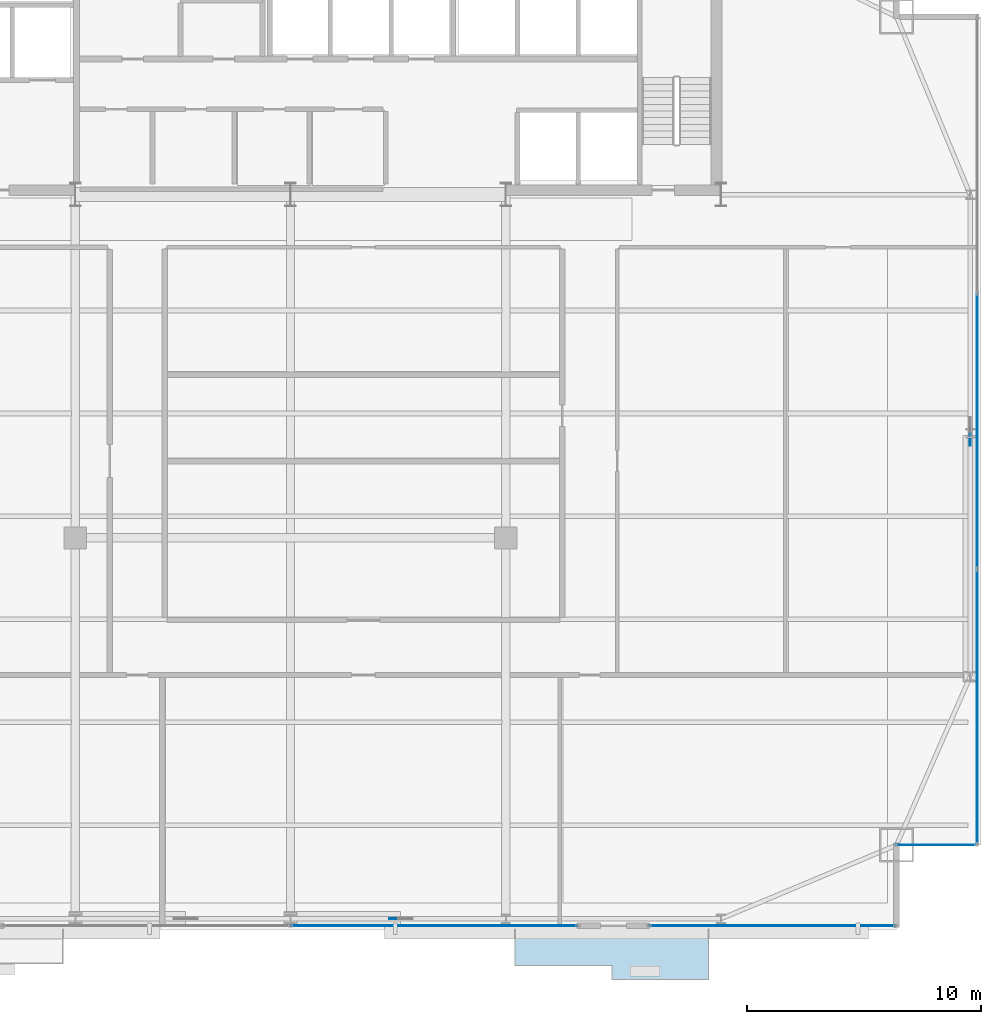
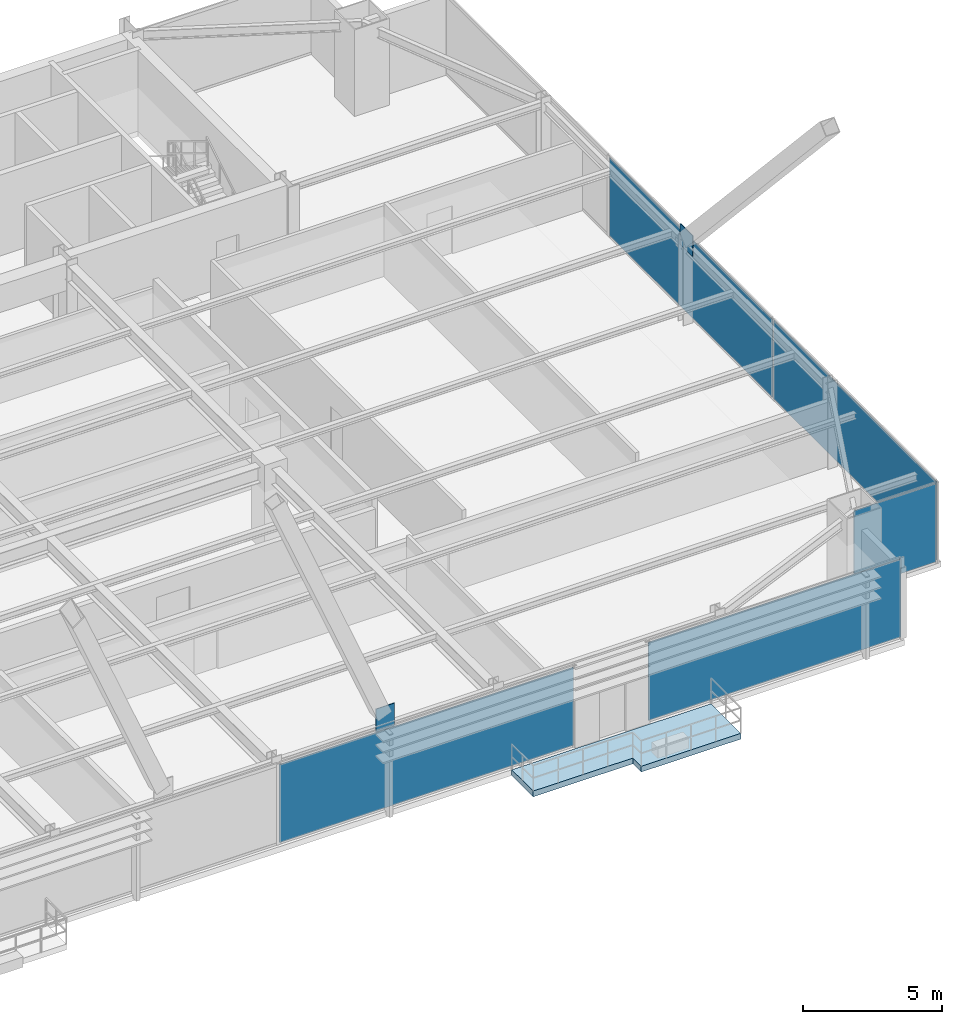
# One storey, part 29 of 37: 7 plates, 1 slab, 4 elements without a shape of their own.
"""IFC4 building model written with IfcOpenShell, lengths in metres."""

from ifc_helpers import new_model, si_unit, direction, frame, origin, origin_2d, place, context, subcontext, project, spatial, polyline, rectangle, outline, extrude, source, transform, mapped, material, layer, layer_set, type_object, type_shapes, element, aggregate, save


model = new_model("IFC4")

# Units and contexts
model_context = context("Model", 3, precision=1e-05, world=origin(), true_north=direction((0.0, 1.0)))
body_context = subcontext(model_context, "Body", "Model", "MODEL_VIEW")
ifc_project = project(units=[si_unit("LENGTHUNIT", "METRE"), si_unit("AREAUNIT", "SQUARE_METRE"), si_unit("VOLUMEUNIT", "CUBIC_METRE"), si_unit("PLANEANGLEUNIT", "RADIAN"), si_unit("MASSUNIT", "GRAM", prefix="KILO")], contexts=[model_context])

# Site, building, storey
site_placement = place(None, origin())
site = spatial("IfcSite", under=ifc_project, at=site_placement, CompositionType="ELEMENT")
building_placement = place(site_placement, origin())
building = spatial("IfcBuilding", under=site, at=building_placement, Name="Varnel Quay Broadcast Tower", CompositionType="ELEMENT")
storey_placement = place(building_placement, frame((0.0, 0.0, 125.800048828125)))
storey = spatial("IfcBuildingStorey", under=building, at=storey_placement, Name="L30", CompositionType="ELEMENT", Elevation=125.800048828125)

# Slab
ifc_material_1 = material(Name="Concrete CSA A23.3 C40/50", Category="concrete")
ifc_layer_1 = layer(ifc_material_1, 0.25, Name="Concrete CSA A23.3 C40/50")
ifc_layer_set_1 = layer_set([ifc_layer_1], Name="Concrete CSA A23.3 C40/50")
slab_type = type_object("IfcSlabType", Name="Slab_ExtTerrace250", PredefinedType="FLOOR", material=ifc_layer_set_1)
slab_placement = place(storey_placement, frame((0.0, 0.0, -0.25)))
element("IfcSlab", 1, at=slab_placement, inside=storey, type_object=slab_type, Name="L30 Planted Lobe Terrace Slab 2", PredefinedType="FLOOR", context=body_context, shape_type="SweptSolid", body=[
    extrude(outline(polyline([(43.60009765625, 2.656982421875), (47.735107421875, 2.656982421875), (47.735107421875, 2.056884765625), (51.8701171875, 2.056884765625), (51.8701171875, 4.199951171875), (43.60009765625, 4.199951171875), (43.60009765625, 2.656982421875)])), origin(), (0.0, 0.0, 1.0), 0.25),
])

# Plates
ifc_material_2 = material(Name="Structural Steel CSA G40.21 350WT", Category="steel")
ifc_layer_2 = layer(ifc_material_2, 0.0400390625, Name="Structural Steel CSA G40.21 350WT")
ifc_layer_set_2 = layer_set([ifc_layer_2], Name="Structural Steel CSA G40.21 350WT")
plate_type_1 = type_object("IfcPlateType", Name="Plate_MegaGusset", PredefinedType="USERDEFINED", material=ifc_layer_set_2)
shared_shape_1 = source(origin(), body_context, "Body", "SweptSolid", [
    extrude(rectangle(XDim=0.782958984375, YDim=0.0400390625, at=origin_2d()), origin(), (0.0, 0.0, 1.0), 1.277099609375),
])
plate_1_placement = place(storey_placement, frame((38.60009765625, 4.64990234375, 3.00146484375), z_axis=(0.0, 0.0, 1.0), x_axis=(1.0, 0.0, 0.0)))
element("IfcPlate", 2, at=plate_1_placement, inside=storey, type_object=plate_type_1, Name="Zone 2 Mega-Brace S-C2T3 Central X-Crossing Gusset Plate", ObjectType="GUSSET_PLATE", PredefinedType="USERDEFINED", context=body_context, shape_type="MappedRepresentation", body=[
    mapped(shared_shape_1, transform((0.0, 0.0, 0.0), x_axis=(1.0, 0.0, 0.0), y_axis=(0.0, 1.0, 0.0), z_axis=(0.0, 0.0, 1.0), scale=1.0)),
])
shared_shape_2 = source(origin(), body_context, "Body", "SweptSolid", [
    extrude(rectangle(XDim=0.881103515625, YDim=0.0400390625, at=origin_2d()), origin(), (0.0, 0.0, 1.0), 0.919921875),
])
type_shapes(plate_type_1, [shared_shape_1, shared_shape_2])
plate_2_placement = place(storey_placement, frame((63.050048828125, 25.300048828125, 3.179931640625), z_axis=(0.0, 0.0, 1.0), x_axis=(0.0, 1.0, 0.0)))
element("IfcPlate", 3, at=plate_2_placement, inside=storey, type_object=plate_type_1, Name="Zone 2 Mega-Brace E-FT3 Central X-Crossing Gusset Plate", ObjectType="GUSSET_PLATE", PredefinedType="USERDEFINED", context=body_context, shape_type="MappedRepresentation", body=[
    mapped(shared_shape_2, transform((0.0, 0.0, 0.0), x_axis=(1.0, 0.0, 0.0), y_axis=(0.0, 1.0, 0.0), z_axis=(0.0, 0.0, 1.0), scale=1.0)),
])

# Curtain wall, plate
ifc_material_3 = material(Name="Anodised Bronze Aluminium 6063-T6", Category="aluminium")
ifc_layer_3 = layer(ifc_material_3, 0.18994140625, Name="Anodised Bronze Aluminium 6063-T6")
ifc_layer_set_3 = layer_set([ifc_layer_3], Name="Anodised Bronze Aluminium 6063-T6")
curtain_wall_type_1 = type_object("IfcCurtainWallType", Name="CW_LowerTower", PredefinedType="NOTDEFINED", material=ifc_layer_set_3)
curtain_wall_1_placement = place(storey_placement, origin())
curtain_wall_1 = element("IfcCurtainWall", 4, at=curtain_wall_1_placement, inside=storey, type_object=curtain_wall_type_1, Name="L30 East Unitised Curtain Wall", PredefinedType="NOTDEFINED")
ifc_material_4 = material(Name="Insulated Bronze Spandrel Glass", Category="glass")
ifc_layer_4 = layer(ifc_material_4, 0.031982421875, Name="Insulated Bronze Spandrel Glass")
ifc_layer_set_4 = layer_set([ifc_layer_4], Name="Insulated Bronze Spandrel Glass")
plate_type_2 = type_object("IfcPlateType", Name="PanelSp_CWS-02", PredefinedType="CURTAIN_PANEL", material=ifc_layer_set_4)
shared_shape_3 = source(origin(), body_context, "Body", "SweptSolid", [
    extrude(rectangle(XDim=11.72998046875, YDim=0.031982421875, at=origin_2d()), origin(), (0.0, 0.0, 1.0), 3.429931640625),
])
plate_3_placement = place(storey_placement, frame((63.35009765625, 25.5, 0.06005859375), z_axis=(0.0, 0.0, 1.0), x_axis=(0.0, 1.0, 0.0)))
plate_3 = element("IfcPlate", 5, at=plate_3_placement, type_object=plate_type_2, Name="CWS-02 panel 2.1", PredefinedType="CURTAIN_PANEL", context=body_context, shape_type="MappedRepresentation", body=[
    mapped(shared_shape_3, transform((0.0, 0.0, 0.0), x_axis=(1.0, 0.0, 0.0), y_axis=(0.0, 1.0, 0.0), z_axis=(0.0, 0.0, 1.0), scale=1.0)),
])

ifc_layer_5 = layer(ifc_material_3, 0.18994140625, Name="Anodised Bronze Aluminium 6063-T6")
ifc_layer_set_5 = layer_set([ifc_layer_5], Name="Anodised Bronze Aluminium 6063-T6")
curtain_wall_type_2 = type_object("IfcCurtainWallType", Name="CW_NotchCorner", PredefinedType="NOTDEFINED", material=ifc_layer_set_5)
curtain_wall_2_placement = place(storey_placement, origin())
curtain_wall_2 = element("IfcCurtainWall", 6, at=curtain_wall_2_placement, inside=storey, type_object=curtain_wall_type_2, Name="L30 SE Notch Curtain Wall", PredefinedType="NOTDEFINED")
ifc_material_5 = material(Name="Triple-Glazed Bronze Low-E Architectural Glass", Category="glass")
ifc_layer_6 = layer(ifc_material_5, 0.028076171875, Name="Triple-Glazed Bronze Low-E Architectural Glass")
ifc_layer_set_6 = layer_set([ifc_layer_6], Name="Triple-Glazed Bronze Low-E Architectural Glass")
plate_type_3 = type_object("IfcPlateType", Name="Panel_CWS-04", PredefinedType="CURTAIN_PANEL", material=ifc_layer_set_6)
shared_shape_4 = source(origin(), body_context, "Body", "SweptSolid", [
    extrude(rectangle(XDim=3.409912109375, YDim=0.028076171875, at=origin_2d()), origin(), (0.0, 0.0, 1.0), 3.43994140625),
])
type_shapes(plate_type_3, [shared_shape_4])
plate_4_placement = place(storey_placement, frame((61.5849609375, 7.800048828125, 0.054931640625), z_axis=(0.0, 0.0, 1.0), x_axis=(1.0, 0.0, 0.0)))
plate_4 = element("IfcPlate", 7, at=plate_4_placement, type_object=plate_type_3, Name="CWS-04 panel 1.1", PredefinedType="CURTAIN_PANEL", context=body_context, shape_type="MappedRepresentation", body=[
    mapped(shared_shape_4, transform((0.0, 0.0, 0.0), x_axis=(1.0, 0.0, 0.0), y_axis=(0.0, 1.0, 0.0), z_axis=(0.0, 0.0, 1.0), scale=1.0)),
])
aggregate(curtain_wall_2, [plate_4])

curtain_wall_3_placement = place(storey_placement, origin())
curtain_wall_3 = element("IfcCurtainWall", 8, at=curtain_wall_3_placement, inside=storey, type_object=curtain_wall_type_1, Name="L30 South Unitised Curtain Wall 3", PredefinedType="NOTDEFINED")
ifc_layer_7 = layer(ifc_material_5, 0.031982421875, Name="Triple-Glazed Bronze Low-E Architectural Glass")
ifc_layer_set_7 = layer_set([ifc_layer_7], Name="Triple-Glazed Bronze Low-E Architectural Glass")
plate_type_4 = type_object("IfcPlateType", Name="Panel_CWS-02", PredefinedType="CURTAIN_PANEL", material=ifc_layer_set_7)
shared_shape_5 = source(origin(), body_context, "Body", "SweptSolid", [
    extrude(rectangle(XDim=10.47998046875, YDim=0.031982421875, at=origin_2d()), origin(), (0.0, 0.0, 1.0), 3.429931640625),
])
plate_5_placement = place(storey_placement, frame((54.590087890625, 4.35009765625, 0.06005859375), z_axis=(0.0, 0.0, 1.0), x_axis=(1.0, 0.0, 0.0)))
plate_5 = element("IfcPlate", 9, at=plate_5_placement, type_object=plate_type_4, Name="CWS-02 panel 1.1", PredefinedType="CURTAIN_PANEL", context=body_context, shape_type="MappedRepresentation", body=[
    mapped(shared_shape_5, transform((0.0, 0.0, 0.0), x_axis=(1.0, 0.0, 0.0), y_axis=(0.0, 1.0, 0.0), z_axis=(0.0, 0.0, 1.0), scale=1.0)),
])
aggregate(curtain_wall_3, [plate_5])

curtain_wall_4_placement = place(storey_placement, origin())
curtain_wall_4 = element("IfcCurtainWall", 10, at=curtain_wall_4_placement, inside=storey, type_object=curtain_wall_type_1, Name="L30 South Unitised Curtain Wall 2", PredefinedType="NOTDEFINED")
shared_shape_6 = source(origin(), body_context, "Body", "SweptSolid", [
    extrude(rectangle(XDim=12.215087890625, YDim=0.031982421875, at=origin_2d()), origin(), (0.0, 0.0, 1.0), 3.429931640625),
])
type_shapes(plate_type_2, [shared_shape_3, shared_shape_6])
plate_6_placement = place(storey_placement, frame((40.142578125, 4.35009765625, 0.06005859375), z_axis=(0.0, 0.0, 1.0), x_axis=(1.0, 0.0, 0.0)))
plate_6 = element("IfcPlate", 11, at=plate_6_placement, type_object=plate_type_2, Name="CWS-02 panel 2.1", PredefinedType="CURTAIN_PANEL", context=body_context, shape_type="MappedRepresentation", body=[
    mapped(shared_shape_6, transform((0.0, 0.0, 0.0), x_axis=(1.0, 0.0, 0.0), y_axis=(0.0, 1.0, 0.0), z_axis=(0.0, 0.0, 1.0), scale=1.0)),
])
aggregate(curtain_wall_4, [plate_6])

# Plate
shared_shape_7 = source(origin(), body_context, "Body", "SweptSolid", [
    extrude(rectangle(XDim=11.695068359375, YDim=0.031982421875, at=origin_2d()), origin(), (0.0, 0.0, 1.0), 3.429931640625),
])
type_shapes(plate_type_4, [shared_shape_5, shared_shape_7])
plate_7_placement = place(storey_placement, frame((63.35009765625, 13.717529296875, 0.06005859375), z_axis=(0.0, 0.0, 1.0), x_axis=(0.0, 1.0, 0.0)))
plate_7 = element("IfcPlate", 12, at=plate_7_placement, type_object=plate_type_4, Name="CWS-02 panel 1.1", PredefinedType="CURTAIN_PANEL", context=body_context, shape_type="MappedRepresentation", body=[
    mapped(shared_shape_7, transform((0.0, 0.0, 0.0), x_axis=(1.0, 0.0, 0.0), y_axis=(0.0, 1.0, 0.0), z_axis=(0.0, 0.0, 1.0), scale=1.0)),
])

aggregate(curtain_wall_1, [plate_7, plate_3])

save(model, "model.ifc")
